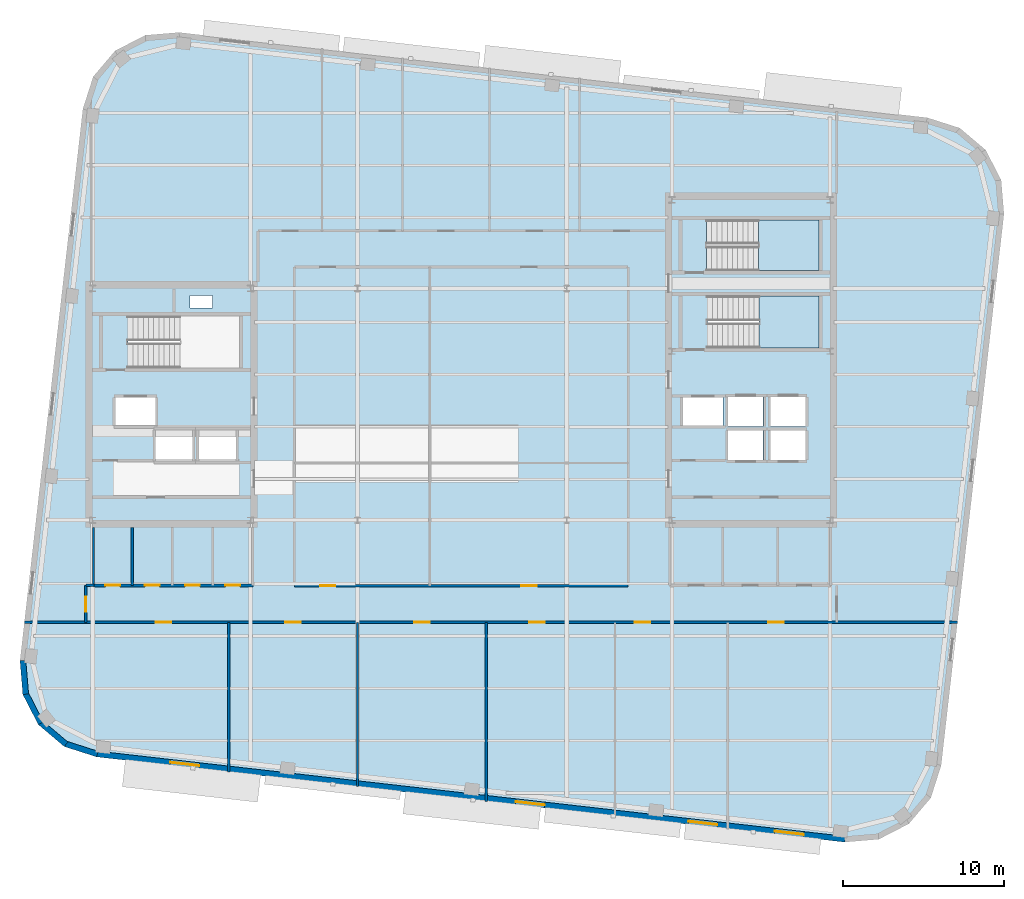
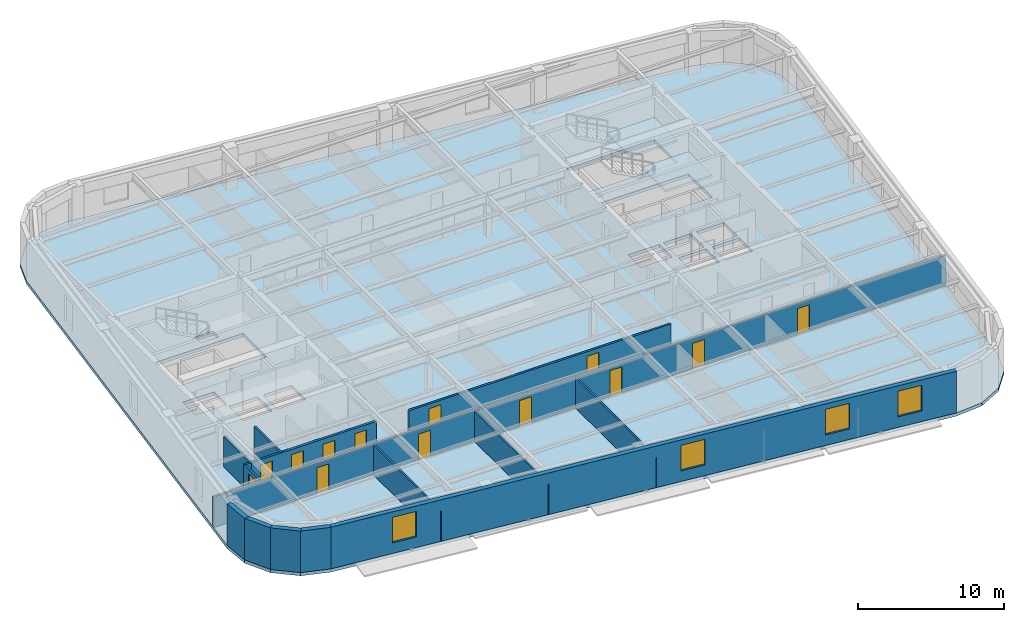
# One storey, part 5 of 13: 15 walls, 13 doors, 4 windows, 3 slabs, 17 openings, 2 elements without a shape of their own.
"""IFC4 building model written with IfcOpenShell, lengths in metres."""

from ifc_helpers import new_model, si_unit, direction, frame, frame_2d, origin, place, context, subcontext, project, spatial, polyline, rectangle, outline, extrude, material, layer, layer_set, type_object, element, fill, aggregate, save


model = new_model("IFC4")

# Units and contexts
model_context = context("Model", 3, precision=1e-05, world=origin(), true_north=direction((0.0, 1.0)))
body_context = subcontext(model_context, "Body", "Model", "MODEL_VIEW")
ifc_project = project(units=[si_unit("LENGTHUNIT", "METRE"), si_unit("AREAUNIT", "SQUARE_METRE"), si_unit("VOLUMEUNIT", "CUBIC_METRE"), si_unit("PLANEANGLEUNIT", "RADIAN"), si_unit("MASSUNIT", "GRAM", prefix="KILO")], contexts=[model_context])

# Site, building, storey
site_placement = place(None, origin())
site = spatial("IfcSite", under=ifc_project, at=site_placement, CompositionType="ELEMENT")
building_placement = place(site_placement, origin())
building = spatial("IfcBuilding", under=site, at=building_placement, Name="Kolvaren Arena Tower", CompositionType="ELEMENT")
storey_placement = place(building_placement, frame((0.0, 0.0, 250.949951171875)))
storey = spatial("IfcBuildingStorey", under=building, at=storey_placement, Name="L61", CompositionType="ELEMENT", Elevation=250.949951171875)

# Stair, slab
ifc_material_1 = material(Name="Concrete 45 MPa", Category="concrete")
stair_type_1 = type_object("IfcStairType", Name="STAIR-CORE-165", PredefinedType="HALF_TURN_STAIR", material=ifc_material_1)
stair_1_placement = place(storey_placement, origin())
stair_1 = element("IfcStair", 1, at=stair_1_placement, inside=storey, type_object=stair_type_1, Name="L61 ST-E1", PredefinedType="HALF_TURN_STAIR")
ifc_layer_1 = layer(ifc_material_1, 0.199951171875)
ifc_layer_set_1 = layer_set([ifc_layer_1], Name="Concrete 45 MPa")
slab_type_1 = type_object("IfcSlabType", Name="SLAB-LAND", PredefinedType="LANDING", material=ifc_layer_set_1)
slab_1_placement = place(storey_placement, frame((0.0, 0.0, 1.675048828125)))
slab_1 = element("IfcSlab", 2, at=slab_1_placement, type_object=slab_type_1, Name="ST-E1 landing 1", PredefinedType="LANDING", context=body_context, shape_type="SweptSolid", body=[
    extrude(outline(polyline([(55.9599609375, 30.14990234375), (59.659912109375, 30.14990234375), (59.659912109375, 33.3798828125), (55.9599609375, 33.3798828125), (55.9599609375, 30.14990234375)])), origin(), (0.0, 0.0, 1.0), 0.199951171875),
])
aggregate(stair_1, [slab_1])

stair_type_2 = type_object("IfcStairType", Name="STAIR-CORE-150", PredefinedType="HALF_TURN_STAIR", material=ifc_material_1)
stair_2_placement = place(storey_placement, origin())
stair_2 = element("IfcStair", 3, at=stair_2_placement, inside=storey, type_object=stair_type_2, Name="L61 ST-E2", PredefinedType="HALF_TURN_STAIR")
slab_2_placement = place(storey_placement, frame((0.0, 0.0, 1.675048828125)))
slab_2 = element("IfcSlab", 4, at=slab_2_placement, type_object=slab_type_1, Name="ST-E2 landing 1", PredefinedType="LANDING", context=body_context, shape_type="SweptSolid", body=[
    extrude(outline(polyline([(55.919921875, 34.949951171875), (59.659912109375, 34.949951171875), (59.659912109375, 38.10009765625), (55.919921875, 38.10009765625), (55.919921875, 34.949951171875)])), origin(), (0.0, 0.0, 1.0), 0.199951171875),
])
aggregate(stair_2, [slab_2])

# Slab
ifc_layer_2 = layer(ifc_material_1, 0.27001953125)
ifc_layer_set_2 = layer_set([ifc_layer_2], Name="Concrete 45 MPa")
slab_type_2 = type_object("IfcSlabType", Name="SLAB-OFF2", PredefinedType="FLOOR", material=ifc_layer_set_2)
slab_3_placement = place(storey_placement, frame((0.0, 0.0, -0.27001953125)))
element("IfcSlab", 5, at=slab_3_placement, inside=storey, type_object=slab_type_2, Name="L61 Primary Structural Slab", PredefinedType="FLOOR", context=body_context, shape_type="SweptSolid", body=[
    extrude(outline(polyline([(61.285400390625, -0.553466796875), (63.38525390625, -0.37890625), (65.25830078125, 0.585693359375), (66.619873046875, 2.194091796875), (67.26220703125, 4.20068359375), (71.16748046875, 38.47900390625), (70.9931640625, 40.57861328125), (70.0283203125, 42.45166015625), (68.42041015625, 43.81298828125), (66.41357421875, 44.455322265625), (19.91455078125, 49.75341796875), (17.814697265625, 49.578857421875), (15.941650390625, 48.6142578125), (14.580078125, 47.006103515625), (13.93798828125, 44.99951171875), (10.032470703125, 10.72119140625), (10.206787109375, 8.621337890625), (11.171630859375, 6.748291015625), (12.77978515625, 5.386962890625), (14.786376953125, 4.74462890625), (61.285400390625, -0.553466796875)]), holes=[polyline([(20.739990234375, 23.135009765625), (18.4599609375, 23.135009765625), (18.4599609375, 25.06494140625), (20.739990234375, 25.06494140625), (20.739990234375, 23.135009765625)]), polyline([(21.159912109375, 23.135009765625), (21.159912109375, 25.06494140625), (23.43994140625, 25.06494140625), (23.43994140625, 23.135009765625), (21.159912109375, 23.135009765625)]), polyline([(56.2099609375, 23.18505859375), (54.030029296875, 23.18505859375), (54.030029296875, 25.014892578125), (56.2099609375, 25.014892578125), (56.2099609375, 23.18505859375)]), polyline([(56.669921875, 23.18505859375), (56.669921875, 25.014892578125), (58.85009765625, 25.014892578125), (58.85009765625, 23.18505859375), (56.669921875, 23.18505859375)]), polyline([(54.030029296875, 25.284912109375), (54.030029296875, 27.114990234375), (56.2099609375, 27.114990234375), (56.2099609375, 25.284912109375), (54.030029296875, 25.284912109375)]), polyline([(58.85009765625, 25.284912109375), (56.669921875, 25.284912109375), (56.669921875, 27.114990234375), (58.85009765625, 27.114990234375), (58.85009765625, 25.284912109375)]), polyline([(15.9599609375, 25.3349609375), (15.9599609375, 27.06494140625), (18.43994140625, 27.06494140625), (18.43994140625, 25.3349609375), (15.9599609375, 25.3349609375)]), polyline([(53.699951171875, 25.3349609375), (51.219970703125, 25.3349609375), (51.219970703125, 27.06494140625), (53.699951171875, 27.06494140625), (53.699951171875, 25.3349609375)]), polyline([(16.735107421875, 28.89990234375), (16.735107421875, 32.1298828125), (23.659912109375, 32.1298828125), (23.659912109375, 28.89990234375), (16.735107421875, 28.89990234375)]), polyline([(52.735107421875, 30.14990234375), (52.735107421875, 33.3798828125), (59.659912109375, 33.3798828125), (59.659912109375, 30.14990234375), (52.735107421875, 30.14990234375)]), polyline([(20.60009765625, 32.6201171875), (20.60009765625, 33.39990234375), (22.0, 33.39990234375), (22.0, 32.6201171875), (20.60009765625, 32.6201171875)]), polyline([(52.695068359375, 34.949951171875), (52.695068359375, 38.10009765625), (59.659912109375, 38.10009765625), (59.659912109375, 34.949951171875), (52.695068359375, 34.949951171875)])]), origin(), (0.0, 0.0, 1.0), 0.27001953125),
])

# Wall, openings, doors
ifc_material_2 = material(Name="Gypsum board acoustic assembly", Category="gypsum")
ifc_layer_3 = layer(ifc_material_2, 0.159912109375)
ifc_layer_set_3 = layer_set([ifc_layer_3], Name="Gypsum board acoustic assembly")
wall_type_1 = type_object("IfcWallType", Name="CORR-160", PredefinedType="PARTITIONING", material=ifc_layer_set_3)
wall_1_placement = place(storey_placement, frame((10.303466796875, 13.10009765625, 0.0), z_axis=(0.0, 0.0, 1.0), x_axis=(1.0, 0.0, 0.0)))
wall_1 = element("IfcWall", 6, at=wall_1_placement, inside=storey, type_object=wall_type_1, Name="Interior Partition Wall (L61)", PredefinedType="PARTITIONING", context=body_context, shape_type="SweptSolid", body=[
    extrude(rectangle(XDim=57.97265625, YDim=0.159912109375, at=frame_2d((28.986328125, 0.0))), origin(), (0.0, 0.0, 1.0), 2.5400390625),
])
opening_1_placement = place(wall_1_placement, frame((8.171630859375, 0.0, 0.0)))
opening_1 = element("IfcOpeningElement", 7, at=opening_1_placement, cuts=wall_1, Name="Opening D05", PredefinedType="OPENING", context=body_context, shape_type="SweptSolid", body=[
    extrude(rectangle(XDim=0.949951171875, YDim=2.14990234375, at=frame_2d((0.47509765625, 1.074951171875))), frame((0.0, 0.08984375, 0.0), z_axis=(0.0, -1.0, 0.0), x_axis=(1.0, 0.0, 0.0)), (0.0, 0.0, 1.0), 0.179931640625),
])
opening_2_placement = place(wall_1_placement, frame((16.2216796875, 0.0, 0.0)))
opening_2 = element("IfcOpeningElement", 8, at=opening_2_placement, cuts=wall_1, Name="Opening D05", PredefinedType="OPENING", context=body_context, shape_type="SweptSolid", body=[
    extrude(rectangle(XDim=0.949951171875, YDim=2.14990234375, at=frame_2d((0.47509765625, 1.074951171875))), frame((0.0, 0.08984375, 0.0), z_axis=(0.0, -1.0, 0.0), x_axis=(1.0, 0.0, 0.0)), (0.0, 0.0, 1.0), 0.179931640625),
])
opening_3_placement = place(wall_1_placement, frame((24.2216796875, 0.0, 0.0)))
opening_3 = element("IfcOpeningElement", 9, at=opening_3_placement, cuts=wall_1, Name="Opening D05", PredefinedType="OPENING", context=body_context, shape_type="SweptSolid", body=[
    extrude(rectangle(XDim=0.949951171875, YDim=2.14990234375, at=frame_2d((0.47509765625, 1.074951171875))), frame((0.0, 0.08984375, 0.0), z_axis=(0.0, -1.0, 0.0), x_axis=(1.0, 0.0, 0.0)), (0.0, 0.0, 1.0), 0.179931640625),
])
opening_4_placement = place(wall_1_placement, frame((31.37158203125, 0.0, 0.0)))
opening_4 = element("IfcOpeningElement", 10, at=opening_4_placement, cuts=wall_1, Name="Opening D05", PredefinedType="OPENING", context=body_context, shape_type="SweptSolid", body=[
    extrude(rectangle(XDim=0.949951171875, YDim=2.14990234375, at=frame_2d((0.47509765625, 1.074951171875))), frame((0.0, 0.08984375, 0.0), z_axis=(0.0, -1.0, 0.0), x_axis=(1.0, 0.0, 0.0)), (0.0, 0.0, 1.0), 0.179931640625),
])
opening_5_placement = place(wall_1_placement, frame((37.921630859375, 0.0, 0.0)))
opening_5 = element("IfcOpeningElement", 11, at=opening_5_placement, cuts=wall_1, Name="Opening D05", PredefinedType="OPENING", context=body_context, shape_type="SweptSolid", body=[
    extrude(rectangle(XDim=0.949951171875, YDim=2.14990234375, at=frame_2d((0.47509765625, 1.074951171875))), frame((0.0, 0.08984375, 0.0), z_axis=(0.0, -1.0, 0.0), x_axis=(1.0, 0.0, 0.0)), (0.0, 0.0, 1.0), 0.179931640625),
])
opening_6_placement = place(wall_1_placement, frame((46.2216796875, 0.0, 0.0)))
opening_6 = element("IfcOpeningElement", 12, at=opening_6_placement, cuts=wall_1, Name="Opening D05", PredefinedType="OPENING", context=body_context, shape_type="SweptSolid", body=[
    extrude(rectangle(XDim=0.949951171875, YDim=2.14990234375, at=frame_2d((0.47509765625, 1.074951171875))), frame((0.0, 0.08984375, 0.0), z_axis=(0.0, -1.0, 0.0), x_axis=(1.0, 0.0, 0.0)), (0.0, 0.0, 1.0), 0.179931640625),
])
ifc_material_3 = material(Name="Solid-core oak acoustic office door", Category="wood")
door_type_1 = type_object("IfcDoorType", Name="DOOR-OF-095", OperationType="NOTDEFINED", PredefinedType="DOOR", material=ifc_material_3)
door_1_placement = place(opening_1_placement, origin())
door_1 = element("IfcDoor", 13, at=door_1_placement, inside=storey, type_object=door_type_1, Name="Wellness Room Door (L61)", OperationType="SINGLE_SWING_LEFT", OverallHeight=2.14990234375, OverallWidth=0.949951171875, PredefinedType="DOOR", context=body_context, shape_type="SweptSolid", body=[
    extrude(rectangle(XDim=0.949951171875, YDim=2.14990234375, at=frame_2d((0.47509765625, 1.074951171875))), frame((0.0, 0.02490234375, 0.0), z_axis=(0.0, -1.0, 0.0), x_axis=(1.0, 0.0, 0.0)), (0.0, 0.0, 1.0), 0.050048828125),
])
fill(opening_1, door_1)
door_2_placement = place(opening_2_placement, origin())
door_2 = element("IfcDoor", 14, at=door_2_placement, inside=storey, type_object=door_type_1, Name="Client Lounge Door (L61)", OperationType="SINGLE_SWING_RIGHT", OverallHeight=2.14990234375, OverallWidth=0.949951171875, PredefinedType="DOOR", context=body_context, shape_type="SweptSolid", body=[
    extrude(rectangle(XDim=0.949951171875, YDim=2.14990234375, at=frame_2d((0.47509765625, 1.074951171875))), frame((0.0, 0.02490234375, 0.0), z_axis=(0.0, -1.0, 0.0), x_axis=(1.0, 0.0, 0.0)), (0.0, 0.0, 1.0), 0.050048828125),
])
fill(opening_2, door_2)
door_3_placement = place(opening_3_placement, origin())
door_3 = element("IfcDoor", 15, at=door_3_placement, inside=storey, type_object=door_type_1, Name="Executive Office Door (L61)", OperationType="SINGLE_SWING_LEFT", OverallHeight=2.14990234375, OverallWidth=0.949951171875, PredefinedType="DOOR", context=body_context, shape_type="SweptSolid", body=[
    extrude(rectangle(XDim=0.949951171875, YDim=2.14990234375, at=frame_2d((0.47509765625, 1.074951171875))), frame((0.0, 0.02490234375, 0.0), z_axis=(0.0, -1.0, 0.0), x_axis=(1.0, 0.0, 0.0)), (0.0, 0.0, 1.0), 0.050048828125),
])
fill(opening_3, door_3)
door_4_placement = place(opening_4_placement, origin())
door_4 = element("IfcDoor", 16, at=door_4_placement, inside=storey, type_object=door_type_1, Name="Training Seminar Room Door (L61)", OperationType="SINGLE_SWING_RIGHT", OverallHeight=2.14990234375, OverallWidth=0.949951171875, PredefinedType="DOOR", context=body_context, shape_type="SweptSolid", body=[
    extrude(rectangle(XDim=0.949951171875, YDim=2.14990234375, at=frame_2d((0.47509765625, 1.074951171875))), frame((0.0, 0.02490234375, 0.0), z_axis=(0.0, -1.0, 0.0), x_axis=(1.0, 0.0, 0.0)), (0.0, 0.0, 1.0), 0.050048828125),
])
fill(opening_4, door_4)
door_5_placement = place(opening_5_placement, origin())
door_5 = element("IfcDoor", 17, at=door_5_placement, inside=storey, type_object=door_type_1, Name="Boardroom Door (L61)", OperationType="SINGLE_SWING_LEFT", OverallHeight=2.14990234375, OverallWidth=0.949951171875, PredefinedType="DOOR", context=body_context, shape_type="SweptSolid", body=[
    extrude(rectangle(XDim=0.949951171875, YDim=2.14990234375, at=frame_2d((0.47509765625, 1.074951171875))), frame((0.0, 0.02490234375, 0.0), z_axis=(0.0, -1.0, 0.0), x_axis=(1.0, 0.0, 0.0)), (0.0, 0.0, 1.0), 0.050048828125),
])
fill(opening_5, door_5)
door_6_placement = place(opening_6_placement, origin())
door_6 = element("IfcDoor", 18, at=door_6_placement, inside=storey, type_object=door_type_1, Name="Breakout Pantry and Kitchen Door (L61)", OperationType="SINGLE_SWING_RIGHT", OverallHeight=2.14990234375, OverallWidth=0.949951171875, PredefinedType="DOOR", context=body_context, shape_type="SweptSolid", body=[
    extrude(rectangle(XDim=0.949951171875, YDim=2.14990234375, at=frame_2d((0.47509765625, 1.074951171875))), frame((0.0, 0.02490234375, 0.0), z_axis=(0.0, -1.0, 0.0), x_axis=(1.0, 0.0, 0.0)), (0.0, 0.0, 1.0), 0.050048828125),
])
fill(opening_6, door_6)

wall_2_placement = place(storey_placement, frame((27.080078125, 15.3798828125, 0.0), z_axis=(0.0, 0.0, 1.0), x_axis=(1.0, 0.0, 0.0)))
wall_2 = element("IfcWall", 19, at=wall_2_placement, inside=storey, type_object=wall_type_1, Name="Interior Partition Wall (L61)", PredefinedType="PARTITIONING", context=body_context, shape_type="SweptSolid", body=[
    extrude(rectangle(XDim=20.739990234375, YDim=0.159912109375, at=frame_2d((10.3701171875, 0.0))), origin(), (0.0, 0.0, 1.0), 2.5400390625),
])
opening_7_placement = place(wall_2_placement, frame((1.594970703125, 0.0, 0.0)))
opening_7 = element("IfcOpeningElement", 20, at=opening_7_placement, cuts=wall_2, Name="Opening D05", PredefinedType="OPENING", context=body_context, shape_type="SweptSolid", body=[
    extrude(rectangle(XDim=0.949951171875, YDim=2.14990234375, at=frame_2d((0.47509765625, 1.074951171875))), frame((0.0, 0.08984375, 0.0), z_axis=(0.0, -1.0, 0.0), x_axis=(1.0, 0.0, 0.0)), (0.0, 0.0, 1.0), 0.179931640625),
])
opening_8_placement = place(wall_2_placement, frame((14.094970703125, 0.0, 0.0)))
opening_8 = element("IfcOpeningElement", 21, at=opening_8_placement, cuts=wall_2, Name="Opening D05", PredefinedType="OPENING", context=body_context, shape_type="SweptSolid", body=[
    extrude(rectangle(XDim=0.949951171875, YDim=2.14990234375, at=frame_2d((0.47509765625, 1.074951171875))), frame((0.0, 0.08984375, 0.0), z_axis=(0.0, -1.0, 0.0), x_axis=(1.0, 0.0, 0.0)), (0.0, 0.0, 1.0), 0.179931640625),
])
door_7_placement = place(opening_7_placement, origin())
door_7 = element("IfcDoor", 22, at=door_7_placement, inside=storey, type_object=door_type_1, Name="Wellness Room Door (L61)", OperationType="SINGLE_SWING_LEFT", OverallHeight=2.14990234375, OverallWidth=0.949951171875, PredefinedType="DOOR", context=body_context, shape_type="SweptSolid", body=[
    extrude(rectangle(XDim=0.949951171875, YDim=2.14990234375, at=frame_2d((0.47509765625, 1.074951171875))), frame((0.0, 0.02490234375, 0.0), z_axis=(0.0, -1.0, 0.0), x_axis=(1.0, 0.0, 0.0)), (0.0, 0.0, 1.0), 0.050048828125),
])
fill(opening_7, door_7)
door_8_placement = place(opening_8_placement, origin())
door_8 = element("IfcDoor", 23, at=door_8_placement, inside=storey, type_object=door_type_1, Name="Executive Office Door (L61)", OperationType="SINGLE_SWING_LEFT", OverallHeight=2.14990234375, OverallWidth=0.949951171875, PredefinedType="DOOR", context=body_context, shape_type="SweptSolid", body=[
    extrude(rectangle(XDim=0.949951171875, YDim=2.14990234375, at=frame_2d((0.47509765625, 1.074951171875))), frame((0.0, 0.02490234375, 0.0), z_axis=(0.0, -1.0, 0.0), x_axis=(1.0, 0.0, 0.0)), (0.0, 0.0, 1.0), 0.050048828125),
])
fill(opening_8, door_8)

# Wall, opening, door
wall_3_placement = place(storey_placement, frame((14.1201171875, 13.10009765625, 0.0), z_axis=(0.0, 0.0, 1.0), x_axis=(0.0, 1.0, 0.0)))
wall_3 = element("IfcWall", 24, at=wall_3_placement, inside=storey, type_object=wall_type_1, Name="Interior Partition Wall (L61)", PredefinedType="PARTITIONING", context=body_context, shape_type="SweptSolid", body=[
    extrude(rectangle(XDim=2.2998046875, YDim=0.159912109375, at=frame_2d((1.14990234375, 0.0))), origin(), (0.0, 0.0, 1.0), 2.5400390625),
])
opening_9_placement = place(wall_3_placement, frame((0.64990234375, 0.0, 0.0)))
opening_9 = element("IfcOpeningElement", 25, at=opening_9_placement, cuts=wall_3, Name="Opening D05", PredefinedType="OPENING", context=body_context, shape_type="SweptSolid", body=[
    extrude(rectangle(XDim=0.949951171875, YDim=2.14990234375, at=frame_2d((0.47509765625, 1.074951171875))), frame((0.0, 0.08984375, 0.0), z_axis=(0.0, -1.0, 0.0), x_axis=(1.0, 0.0, 0.0)), (0.0, 0.0, 1.0), 0.179931640625),
])
door_9_placement = place(opening_9_placement, origin())
door_9 = element("IfcDoor", 26, at=door_9_placement, inside=storey, type_object=door_type_1, Name="West Wing Office Door (L61)", OperationType="SINGLE_SWING_LEFT", OverallHeight=2.14990234375, OverallWidth=0.949951171875, PredefinedType="DOOR", context=body_context, shape_type="SweptSolid", body=[
    extrude(rectangle(XDim=0.949951171875, YDim=2.14990234375, at=frame_2d((0.47509765625, 1.074951171875))), frame((0.0, 0.02490234375, 0.0), z_axis=(0.0, -1.0, 0.0), x_axis=(1.0, 0.0, 0.0)), (0.0, 0.0, 1.0), 0.050048828125),
])
fill(opening_9, door_9)

# Walls
wall_4_placement = place(storey_placement, frame((14.1201171875, 15.39990234375, 0.0), z_axis=(0.0, 0.0, 1.0), x_axis=(1.0, 0.0, 0.0)))
element("IfcWall", 27, at=wall_4_placement, inside=storey, type_object=wall_type_1, Name="Interior Partition Wall (L61)", PredefinedType="PARTITIONING", context=body_context, shape_type="SweptSolid", body=[
    extrude(rectangle(XDim=0.5, YDim=0.159912109375, at=frame_2d((0.25, 0.0))), origin(), (0.0, 0.0, 1.0), 2.5400390625),
])
ifc_material_4 = material(Name="Precast concrete C50/60", Category="concrete")
ifc_layer_4 = layer(ifc_material_4, 0.360107421875)
ifc_layer_set_4 = layer_set([ifc_layer_4], Name="Precast concrete C50/60")
wall_type_2 = type_object("IfcWallType", Name="EXT-PIER2", PredefinedType="SOLIDWALL", material=ifc_layer_set_4)
wall_5_placement = place(storey_placement, frame((10.38623046875, 8.63623046875, 0.0), z_axis=(0.0, 0.0, 1.0), x_axis=(-0.082729038891, 0.996572077737, 0.0)))
element("IfcWall", 28, at=wall_5_placement, inside=storey, type_object=wall_type_2, Name="Exterior Precast Masonry-Frame Wall (L61)", PredefinedType="SOLIDWALL", context=body_context, shape_type="SweptSolid", body=[
    extrude(rectangle(XDim=2.107177734375, YDim=0.360107421875, at=frame_2d((1.0537109375, 0.0))), origin(), (0.0, 0.0, 1.0), 3.47998046875),
])
for number, where, z_axis, x_axis, name in (
    (29, (11.33154296875, 6.830810546875, 0.0), (0.0, 0.0, 1.0), (-0.457934390142, 0.888985992199, 0.0), "Exterior Precast Masonry-Frame Wall (L61)"),
    (30, (12.89599609375, 5.5244140625, 0.0), (0.0, 0.0, 1.0), (-0.763250018691, 0.646103249464, 0.0), "Exterior Precast Masonry-Frame Wall (L61)"),
    (31, (14.84130859375, 4.916015625, 0.0), (0.0, 0.0, 1.0), (-0.952393196904, 0.304872429864, 0.0), "Exterior Precast Masonry-Frame Wall (L61)"),
):
    element("IfcWall", number, at=place(storey_placement, frame(where, z_axis=z_axis, x_axis=x_axis)), inside=storey, type_object=wall_type_2, Name=name, PredefinedType="SOLIDWALL", context=body_context, shape_type="SweptSolid", body=[
        extrude(rectangle(XDim=2.10693359375, YDim=0.360107421875, at=frame_2d((1.053466796875, 0.0))), origin(), (0.0, 0.0, 1.0), 3.47998046875),
    ])

# Wall, openings, windows
wall_6_placement = place(storey_placement, frame((61.305908203125, -0.37451171875, 0.0), z_axis=(0.0, 0.0, 1.0), x_axis=(-0.993571958919, 0.113202307616, 0.0)))
wall_6 = element("IfcWall", 32, at=wall_6_placement, inside=storey, type_object=wall_type_2, Name="Exterior Precast Masonry-Frame Wall (L61)", PredefinedType="SOLIDWALL", context=body_context, shape_type="SweptSolid", body=[
    extrude(rectangle(XDim=46.7998046875, YDim=0.360107421875, at=frame_2d((23.39990234375, 0.0))), origin(), (0.0, 0.0, 1.0), 3.47998046875),
])
opening_10_placement = place(wall_6_placement, frame((2.60009765625, 0.0, 0.8798828125)))
opening_10 = element("IfcOpeningElement", 33, at=opening_10_placement, cuts=wall_6, Name="Opening W02", PredefinedType="OPENING", context=body_context, shape_type="SweptSolid", body=[
    extrude(rectangle(XDim=1.800048828125, YDim=2.14990234375, at=frame_2d((0.89990234375, 1.074951171875))), frame((0.0, 0.18994140625, 0.0), z_axis=(0.0, -1.0, 0.0), x_axis=(1.0, 0.0, 0.0)), (0.0, 0.0, 1.0), 0.380126953125),
])
opening_11_placement = place(wall_6_placement, frame((8.0, 0.0, 0.8798828125)))
opening_11 = element("IfcOpeningElement", 34, at=opening_11_placement, cuts=wall_6, Name="Opening W02", PredefinedType="OPENING", context=body_context, shape_type="SweptSolid", body=[
    extrude(rectangle(XDim=1.800048828125, YDim=2.14990234375, at=frame_2d((0.89990234375, 1.074951171875))), frame((0.0, 0.18994140625, 0.0), z_axis=(0.0, -1.0, 0.0), x_axis=(1.0, 0.0, 0.0)), (0.0, 0.0, 1.0), 0.380126953125),
])
opening_12_placement = place(wall_6_placement, frame((18.800048828125, 0.0, 0.8798828125)))
opening_12 = element("IfcOpeningElement", 35, at=opening_12_placement, cuts=wall_6, Name="Opening W02", PredefinedType="OPENING", context=body_context, shape_type="SweptSolid", body=[
    extrude(rectangle(XDim=1.800048828125, YDim=2.14990234375, at=frame_2d((0.89990234375, 1.074951171875))), frame((0.0, 0.18994140625, 0.0), z_axis=(0.0, -1.0, 0.0), x_axis=(1.0, 0.0, 0.0)), (0.0, 0.0, 1.0), 0.380126953125),
])
opening_13_placement = place(wall_6_placement, frame((40.39990234375, 0.0, 0.8798828125)))
opening_13 = element("IfcOpeningElement", 36, at=opening_13_placement, cuts=wall_6, Name="Opening W02", PredefinedType="OPENING", context=body_context, shape_type="SweptSolid", body=[
    extrude(rectangle(XDim=1.800048828125, YDim=2.14990234375, at=frame_2d((0.89990234375, 1.074951171875))), frame((0.0, 0.18994140625, 0.0), z_axis=(0.0, -1.0, 0.0), x_axis=(1.0, 0.0, 0.0)), (0.0, 0.0, 1.0), 0.380126953125),
])
ifc_material_5 = material(Name="Triple-glazed low-E aluminium window", Category="aluminium")
window_type = type_object("IfcWindowType", Name="WIN-OFF-B", PartitioningType="DOUBLE_PANEL_VERTICAL", PredefinedType="WINDOW", material=ifc_material_5)
window_1_placement = place(opening_10_placement, origin())
window_1 = element("IfcWindow", 37, at=window_1_placement, inside=storey, type_object=window_type, Name="Punched Precast-Pier Window (L61)", OverallHeight=2.14990234375, OverallWidth=1.800048828125, PartitioningType="DOUBLE_PANEL_VERTICAL", PredefinedType="WINDOW", context=body_context, shape_type="SweptSolid", body=[
    extrude(rectangle(XDim=1.800048828125, YDim=2.14990234375, at=frame_2d((0.89990234375, 1.074951171875))), frame((0.0, 0.030029296875, 0.0), z_axis=(0.0, -1.0, 0.0), x_axis=(1.0, 0.0, 0.0)), (0.0, 0.0, 1.0), 0.06005859375),
])
fill(opening_10, window_1)
window_2_placement = place(opening_11_placement, origin())
window_2 = element("IfcWindow", 38, at=window_2_placement, inside=storey, type_object=window_type, Name="Punched Precast-Pier Window (L61)", OverallHeight=2.14990234375, OverallWidth=1.800048828125, PartitioningType="DOUBLE_PANEL_VERTICAL", PredefinedType="WINDOW", context=body_context, shape_type="SweptSolid", body=[
    extrude(rectangle(XDim=1.800048828125, YDim=2.14990234375, at=frame_2d((0.89990234375, 1.074951171875))), frame((0.0, 0.030029296875, 0.0), z_axis=(0.0, -1.0, 0.0), x_axis=(1.0, 0.0, 0.0)), (0.0, 0.0, 1.0), 0.06005859375),
])
fill(opening_11, window_2)
window_3_placement = place(opening_12_placement, origin())
window_3 = element("IfcWindow", 39, at=window_3_placement, inside=storey, type_object=window_type, Name="Punched Precast-Pier Window (L61)", OverallHeight=2.14990234375, OverallWidth=1.800048828125, PartitioningType="DOUBLE_PANEL_VERTICAL", PredefinedType="WINDOW", context=body_context, shape_type="SweptSolid", body=[
    extrude(rectangle(XDim=1.800048828125, YDim=2.14990234375, at=frame_2d((0.89990234375, 1.074951171875))), frame((0.0, 0.030029296875, 0.0), z_axis=(0.0, -1.0, 0.0), x_axis=(1.0, 0.0, 0.0)), (0.0, 0.0, 1.0), 0.06005859375),
])
fill(opening_12, window_3)
window_4_placement = place(opening_13_placement, origin())
window_4 = element("IfcWindow", 40, at=window_4_placement, inside=storey, type_object=window_type, Name="Punched Precast-Pier Window (L61)", OverallHeight=2.14990234375, OverallWidth=1.800048828125, PartitioningType="DOUBLE_PANEL_VERTICAL", PredefinedType="WINDOW", context=body_context, shape_type="SweptSolid", body=[
    extrude(rectangle(XDim=1.800048828125, YDim=2.14990234375, at=frame_2d((0.89990234375, 1.074951171875))), frame((0.0, 0.030029296875, 0.0), z_axis=(0.0, -1.0, 0.0), x_axis=(1.0, 0.0, 0.0)), (0.0, 0.0, 1.0), 0.06005859375),
])
fill(opening_13, window_4)

# Walls
ifc_material_6 = material(Name="Gypsum board partition assembly", Category="gypsum")
ifc_layer_5 = layer(ifc_material_6, 0.135009765625)
ifc_layer_set_5 = layer_set([ifc_layer_5], Name="Gypsum board partition assembly")
wall_type_3 = type_object("IfcWallType", Name="PART-135", PredefinedType="PARTITIONING", material=ifc_layer_set_5)
wall_7_placement = place(storey_placement, frame((23.0, 3.808837890625, 0.0), z_axis=(0.0, 0.0, 1.0), x_axis=(0.0, 1.0, 0.0)))
element("IfcWall", 41, at=wall_7_placement, inside=storey, type_object=wall_type_3, Name="Interior Partition Wall (L61)", PredefinedType="PARTITIONING", context=body_context, shape_type="SweptSolid", body=[
    extrude(rectangle(XDim=9.291259765625, YDim=0.135009765625, at=frame_2d((4.6455078125, 0.0))), origin(), (0.0, 0.0, 1.0), 2.5400390625),
])
wall_8_placement = place(storey_placement, frame((31.0, 2.897216796875, 0.0), z_axis=(0.0, 0.0, 1.0), x_axis=(0.0, 1.0, 0.0)))
element("IfcWall", 42, at=wall_8_placement, inside=storey, type_object=wall_type_3, Name="Interior Partition Wall (L61)", PredefinedType="PARTITIONING", context=body_context, shape_type="SweptSolid", body=[
    extrude(rectangle(XDim=10.202880859375, YDim=0.135009765625, at=frame_2d((5.1015625, 0.0))), origin(), (0.0, 0.0, 1.0), 2.5400390625),
])
wall_9_placement = place(storey_placement, frame((39.0, 1.98583984375, 0.0), z_axis=(0.0, 0.0, 1.0), x_axis=(0.0, 1.0, 0.0)))
element("IfcWall", 43, at=wall_9_placement, inside=storey, type_object=wall_type_3, Name="Interior Partition Wall (L61)", PredefinedType="PARTITIONING", context=body_context, shape_type="SweptSolid", body=[
    extrude(rectangle(XDim=11.1142578125, YDim=0.135009765625, at=frame_2d((5.55712890625, 0.0))), origin(), (0.0, 0.0, 1.0), 2.5400390625),
])
ifc_material_7 = material(Name="Moisture-resistant gypsum assembly", Category="gypsum")
ifc_layer_6 = layer(ifc_material_7, 0.14990234375)
ifc_layer_set_6 = layer_set([ifc_layer_6], Name="Moisture-resistant gypsum assembly")
wall_type_4 = type_object("IfcWallType", Name="WETW-150", PredefinedType="PARTITIONING", material=ifc_layer_set_6)
wall_10_placement = place(storey_placement, frame((17.0, 15.39990234375, 0.0), z_axis=(0.0, 0.0, 1.0), x_axis=(0.0, 1.0, 0.0)))
element("IfcWall", 44, at=wall_10_placement, inside=storey, type_object=wall_type_4, Name="Interior Partition Wall (L61)", PredefinedType="PARTITIONING", context=body_context, shape_type="SweptSolid", body=[
    extrude(rectangle(XDim=3.580078125, YDim=0.14990234375, at=frame_2d((1.7900390625, 0.0))), origin(), (0.0, 0.0, 1.0), 2.5400390625),
])

# Wall, openings, doors
wall_11_placement = place(storey_placement, frame((14.60009765625, 15.39990234375, 0.0), z_axis=(0.0, 0.0, 1.0), x_axis=(1.0, 0.0, 0.0)))
wall_11 = element("IfcWall", 45, at=wall_11_placement, inside=storey, type_object=wall_type_4, Name="Interior Partition Wall (L61)", PredefinedType="PARTITIONING", context=body_context, shape_type="SweptSolid", body=[
    extrude(rectangle(XDim=9.89990234375, YDim=0.179931640625, at=frame_2d((4.949951171875, 0.0))), origin(), (0.0, 0.0, 1.0), 2.5400390625),
])
opening_14_placement = place(wall_11_placement, frame((0.739990234375, 0.0, 0.0)))
opening_14 = element("IfcOpeningElement", 46, at=opening_14_placement, cuts=wall_11, Name="Opening D07", PredefinedType="OPENING", context=body_context, shape_type="SweptSolid", body=[
    extrude(rectangle(XDim=0.919921875, YDim=2.10009765625, at=frame_2d((0.4599609375, 1.050048828125))), frame((0.0, 0.099853515625, 0.0), z_axis=(0.0, -1.0, 0.0), x_axis=(1.0, 0.0, 0.0)), (0.0, 0.0, 1.0), 0.199951171875),
])
opening_15_placement = place(wall_11_placement, frame((3.18994140625, 0.0, 0.0)))
opening_15 = element("IfcOpeningElement", 47, at=opening_15_placement, cuts=wall_11, Name="Opening D07", PredefinedType="OPENING", context=body_context, shape_type="SweptSolid", body=[
    extrude(rectangle(XDim=0.919921875, YDim=2.10009765625, at=frame_2d((0.4599609375, 1.050048828125))), frame((0.0, 0.099853515625, 0.0), z_axis=(0.0, -1.0, 0.0), x_axis=(1.0, 0.0, 0.0)), (0.0, 0.0, 1.0), 0.199951171875),
])
opening_16_placement = place(wall_11_placement, frame((5.68994140625, 0.0, 0.0)))
opening_16 = element("IfcOpeningElement", 48, at=opening_16_placement, cuts=wall_11, Name="Opening D07", PredefinedType="OPENING", context=body_context, shape_type="SweptSolid", body=[
    extrude(rectangle(XDim=0.919921875, YDim=2.10009765625, at=frame_2d((0.4599609375, 1.050048828125))), frame((0.0, 0.099853515625, 0.0), z_axis=(0.0, -1.0, 0.0), x_axis=(1.0, 0.0, 0.0)), (0.0, 0.0, 1.0), 0.199951171875),
])
opening_17_placement = place(wall_11_placement, frame((8.18994140625, 0.0, 0.0)))
opening_17 = element("IfcOpeningElement", 49, at=opening_17_placement, cuts=wall_11, Name="Opening D07", PredefinedType="OPENING", context=body_context, shape_type="SweptSolid", body=[
    extrude(rectangle(XDim=0.919921875, YDim=2.10009765625, at=frame_2d((0.4599609375, 1.050048828125))), frame((0.0, 0.099853515625, 0.0), z_axis=(0.0, -1.0, 0.0), x_axis=(1.0, 0.0, 0.0)), (0.0, 0.0, 1.0), 0.199951171875),
])
ifc_material_8 = material(Name="Laminate universal washroom door", Category="wood")
door_type_2 = type_object("IfcDoorType", Name="DOOR-WC-092", OperationType="NOTDEFINED", PredefinedType="DOOR", material=ifc_material_8)
door_10_placement = place(opening_14_placement, origin())
door_10 = element("IfcDoor", 50, at=door_10_placement, inside=storey, type_object=door_type_2, Name="Cleaner and Janitor Store Door (L61)", OperationType="SINGLE_SWING_LEFT", OverallHeight=2.10009765625, OverallWidth=0.919921875, PredefinedType="DOOR", context=body_context, shape_type="SweptSolid", body=[
    extrude(rectangle(XDim=0.919921875, YDim=2.10009765625, at=frame_2d((0.4599609375, 1.050048828125))), frame((0.0, 0.02490234375, 0.0), z_axis=(0.0, -1.0, 0.0), x_axis=(1.0, 0.0, 0.0)), (0.0, 0.0, 1.0), 0.050048828125),
])
fill(opening_14, door_10)
door_11_placement = place(opening_15_placement, origin())
door_11 = element("IfcDoor", 51, at=door_11_placement, inside=storey, type_object=door_type_2, Name="Universal Barrier-Free Washroom Door (L61)", OperationType="SINGLE_SWING_RIGHT", OverallHeight=2.10009765625, OverallWidth=0.919921875, PredefinedType="DOOR", context=body_context, shape_type="SweptSolid", body=[
    extrude(rectangle(XDim=0.919921875, YDim=2.10009765625, at=frame_2d((0.4599609375, 1.050048828125))), frame((0.0, 0.02490234375, 0.0), z_axis=(0.0, -1.0, 0.0), x_axis=(1.0, 0.0, 0.0)), (0.0, 0.0, 1.0), 0.050048828125),
])
fill(opening_15, door_11)
door_12_placement = place(opening_16_placement, origin())
door_12 = element("IfcDoor", 52, at=door_12_placement, inside=storey, type_object=door_type_2, Name="Women Restroom Door (L61)", OperationType="SINGLE_SWING_LEFT", OverallHeight=2.10009765625, OverallWidth=0.919921875, PredefinedType="DOOR", context=body_context, shape_type="SweptSolid", body=[
    extrude(rectangle(XDim=0.919921875, YDim=2.10009765625, at=frame_2d((0.4599609375, 1.050048828125))), frame((0.0, 0.02490234375, 0.0), z_axis=(0.0, -1.0, 0.0), x_axis=(1.0, 0.0, 0.0)), (0.0, 0.0, 1.0), 0.050048828125),
])
fill(opening_16, door_12)
door_13_placement = place(opening_17_placement, origin())
door_13 = element("IfcDoor", 53, at=door_13_placement, inside=storey, type_object=door_type_2, Name="Men Restroom Door (L61)", OperationType="SINGLE_SWING_RIGHT", OverallHeight=2.10009765625, OverallWidth=0.919921875, PredefinedType="DOOR", context=body_context, shape_type="SweptSolid", body=[
    extrude(rectangle(XDim=0.919921875, YDim=2.10009765625, at=frame_2d((0.4599609375, 1.050048828125))), frame((0.0, 0.02490234375, 0.0), z_axis=(0.0, -1.0, 0.0), x_axis=(1.0, 0.0, 0.0)), (0.0, 0.0, 1.0), 0.050048828125),
])
fill(opening_17, door_13)

# Wall
wall_12_placement = place(storey_placement, frame((14.60009765625, 15.39990234375, 0.0), z_axis=(0.0, 0.0, 1.0), x_axis=(0.0, 1.0, 0.0)))
element("IfcWall", 54, at=wall_12_placement, inside=storey, type_object=wall_type_4, Name="Interior Partition Wall (L61)", PredefinedType="PARTITIONING", context=body_context, shape_type="SweptSolid", body=[
    extrude(rectangle(XDim=3.580078125, YDim=0.14990234375, at=frame_2d((1.7900390625, 0.0))), origin(), (0.0, 0.0, 1.0), 2.5400390625),
])

save(model, "model.ifc")
